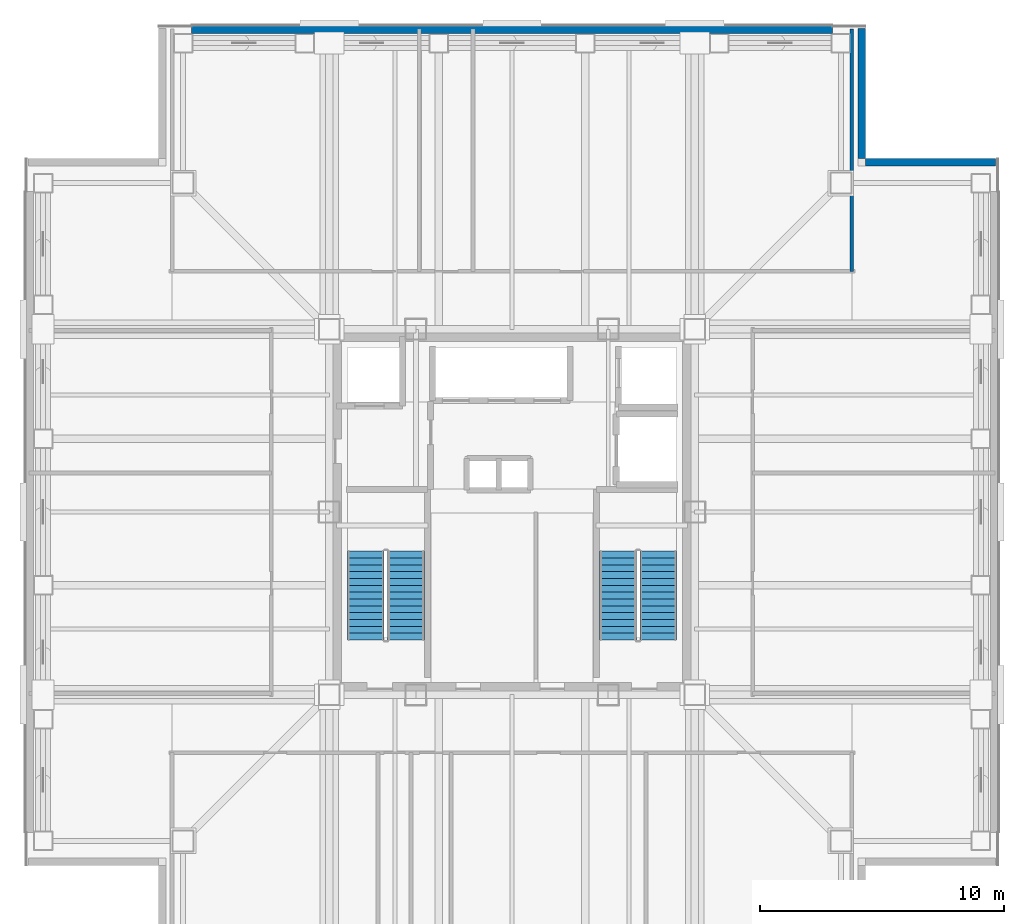
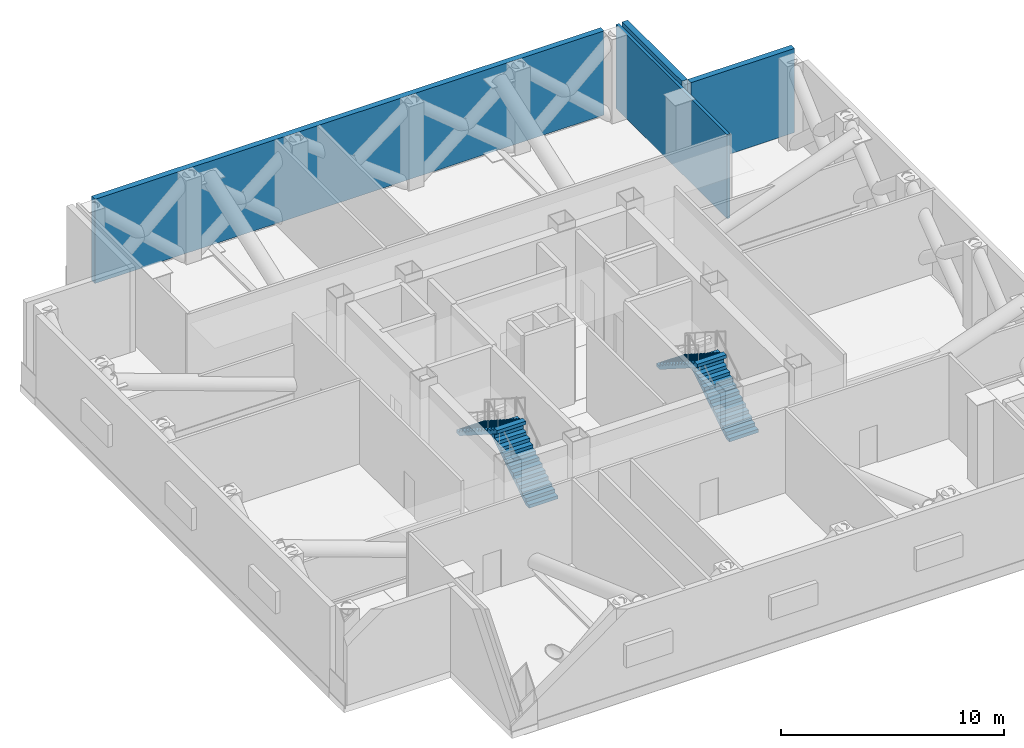
# One storey, part 5 of 10: 4 stair flights, 4 walls, 2 elements without a shape of their own.
"""IFC4 building model written with IfcOpenShell, lengths in metres."""

from ifc_helpers import new_model, si_unit, direction, frame, frame_2d, origin, place, context, subcontext, project, spatial, polyline, rectangle, outline, extrude, material, layer, layer_set, type_object, element, aggregate, save


model = new_model("IFC4")

# Units and contexts
model_context = context("Model", 3, precision=1e-05, world=origin(), true_north=direction((0.0, 1.0)))
body_context = subcontext(model_context, "Body", "Model", "MODEL_VIEW")
ifc_project = project(units=[si_unit("LENGTHUNIT", "METRE"), si_unit("AREAUNIT", "SQUARE_METRE"), si_unit("VOLUMEUNIT", "CUBIC_METRE"), si_unit("PLANEANGLEUNIT", "RADIAN"), si_unit("MASSUNIT", "GRAM", prefix="KILO")], contexts=[model_context])

# Site, building, storey
site_placement = place(None, origin())
site = spatial("IfcSite", under=ifc_project, at=site_placement, CompositionType="ELEMENT")
building_placement = place(site_placement, origin())
building = spatial("IfcBuilding", under=site, at=building_placement, Name="Trevonay Congress Spire", CompositionType="ELEMENT")
storey_placement = place(building_placement, frame((0.0, 0.0, 227.39990234375)))
storey = spatial("IfcBuildingStorey", under=building, at=storey_placement, Name="L59", CompositionType="ELEMENT", Elevation=227.39990234375)

# Walls
ifc_material_1 = material(Name="Precast concrete C40/50", Category="concrete")
ifc_layer_1 = layer(ifc_material_1, 0.300048828125, Name="Precast concrete C40/50")
ifc_layer_set_1 = layer_set([ifc_layer_1], Name="Precast concrete C40/50")
wall_type_1 = type_object("IfcWallType", Name="WAL-EXT-PRECAST-300", PredefinedType="SOLIDWALL", material=ifc_layer_set_1)
wall_1_placement = place(storey_placement, frame((-13.14990234375, 19.800048828125, 0.0), z_axis=(0.0, 0.0, 1.0), x_axis=(1.0, 0.0, 0.0)))
element("IfcWall", 1, at=wall_1_placement, inside=storey, type_object=wall_type_1, Name="L59 N outrigger plant backup wall", PredefinedType="SOLIDWALL", context=body_context, shape_type="SweptSolid", body=[
    extrude(rectangle(XDim=26.2998046875, YDim=0.300048828125, at=frame_2d((13.14990234375, 0.0))), origin(), (0.0, 0.0, 1.0), 4.60009765625),
])
for number, where, z_axis, x_axis, name in (
    (2, (14.35009765625, 19.85009765625, 0.0), (0.0, 0.0, 1.0), (0.0, -1.0, 0.0), "L59 NE plant notch wall 1"),
    (3, (19.85009765625, 14.35009765625, 0.0), (0.0, 0.0, 1.0), (-1.0, 0.0, 0.0), "L59 NE plant notch wall 2"),
):
    element("IfcWall", number, at=place(storey_placement, frame(where, z_axis=z_axis, x_axis=x_axis)), inside=storey, type_object=wall_type_1, Name=name, PredefinedType="SOLIDWALL", context=body_context, shape_type="SweptSolid", body=[
        extrude(rectangle(XDim=5.35009765625, YDim=0.300048828125, at=frame_2d((2.675048828125, 0.0))), origin(), (0.0, 0.0, 1.0), 4.60009765625),
    ])
ifc_material_2 = material(Name="Concrete C40/50", Category="concrete")
ifc_layer_2 = layer(ifc_material_2, 0.14990234375, Name="Concrete C40/50")
ifc_layer_set_2 = layer_set([ifc_layer_2], Name="Concrete C40/50")
wall_type_2 = type_object("IfcWallType", Name="WAL-PART-150", PredefinedType="PARTITIONING", material=ifc_layer_set_2)
wall_2_placement = place(storey_placement, frame((13.949951171875, 9.8798828125, 0.0), z_axis=(0.0, 0.0, 1.0), x_axis=(0.0, 1.0, 0.0)))
element("IfcWall", 4, at=wall_2_placement, inside=storey, type_object=wall_type_2, Name="L59 interior wall WP-L59N-DIV4", PredefinedType="PARTITIONING", context=body_context, shape_type="SweptSolid", body=[
    extrude(rectangle(XDim=9.940185546875, YDim=0.14990234375, at=frame_2d((4.97021484375, 0.0))), origin(), (0.0, 0.0, 1.0), 4.60009765625),
])

# Stair, stair flights
stair_type_1 = type_object("IfcStairType", Name="STR-ST-1", PredefinedType="HALF_TURN_STAIR", material=ifc_material_2)
stair_1_placement = place(storey_placement, origin())
stair_1 = element("IfcStair", 5, at=stair_1_placement, inside=storey, type_object=stair_type_1, Name="L59 Protected Exit Stair ST-1", PredefinedType="HALF_TURN_STAIR")
stair_flight_type_1 = type_object("IfcStairFlightType", Name="SFL-ST-1", PredefinedType="STRAIGHT", material=ifc_material_2)
stair_flight_1_placement = place(storey_placement, frame((-4.35009765625, -5.25, 0.0), z_axis=(0.0, 0.0, 1.0), x_axis=(0.0, 1.0, 0.0)))
stair_flight_1 = element("IfcStairFlight", 6, at=stair_flight_1_placement, type_object=stair_flight_type_1, Name="ST-1 flight 1", NumberOfRisers=14, NumberOfTreads=13, PredefinedType="STRAIGHT", RiserHeight=0.178571429, TreadLength=0.28, context=body_context, shape_type="SweptSolid", body=[
    extrude(outline(polyline([(0.0, 0.0), (0.0, 0.178466796875), (0.280029296875, 0.178466796875), (0.280029296875, 0.357177734375), (0.56005859375, 0.357177734375), (0.56005859375, 0.53564453125), (0.840087890625, 0.53564453125), (0.840087890625, 0.71435546875), (1.1201171875, 0.71435546875), (1.1201171875, 0.892822265625), (1.39990234375, 0.892822265625), (1.39990234375, 1.071533203125), (1.679931640625, 1.071533203125), (1.679931640625, 1.25), (1.9599609375, 1.25), (1.9599609375, 1.428466796875), (2.239990234375, 1.428466796875), (2.239990234375, 1.607177734375), (2.52001953125, 1.607177734375), (2.52001953125, 1.78564453125), (2.800048828125, 1.78564453125), (2.800048828125, 1.96435546875), (3.080078125, 1.96435546875), (3.080078125, 2.142822265625), (3.360107421875, 2.142822265625), (3.360107421875, 2.321533203125), (3.639892578125, 2.321533203125), (3.639892578125, 2.5), (3.639892578125, 2.1435546875), (0.27880859375, 0.0), (0.0, 0.0)])), frame((0.0, 0.75, 0.0), z_axis=(0.0, -1.0, 0.0), x_axis=(1.0, 0.0, 0.0)), (0.0, 0.0, 1.0), 1.5),
])
stair_flight_2_placement = place(storey_placement, frame((-6.0, -1.610107421875, 2.5), z_axis=(0.0, 0.0, 1.0), x_axis=(0.0, -1.0, 0.0)))
stair_flight_2 = element("IfcStairFlight", 7, at=stair_flight_2_placement, type_object=stair_flight_type_1, Name="ST-1 flight 2", NumberOfRisers=14, NumberOfTreads=13, PredefinedType="STRAIGHT", RiserHeight=0.178571429, TreadLength=0.28, context=body_context, shape_type="SweptSolid", body=[
    extrude(outline(polyline([(0.0, 0.0), (0.0, 0.178466796875), (0.280029296875, 0.178466796875), (0.280029296875, 0.357177734375), (0.56005859375, 0.357177734375), (0.56005859375, 0.53564453125), (0.840087890625, 0.53564453125), (0.840087890625, 0.71435546875), (1.1201171875, 0.71435546875), (1.1201171875, 0.892822265625), (1.39990234375, 0.892822265625), (1.39990234375, 1.071533203125), (1.679931640625, 1.071533203125), (1.679931640625, 1.25), (1.9599609375, 1.25), (1.9599609375, 1.428466796875), (2.239990234375, 1.428466796875), (2.239990234375, 1.607177734375), (2.52001953125, 1.607177734375), (2.52001953125, 1.78564453125), (2.800048828125, 1.78564453125), (2.800048828125, 1.96435546875), (3.080078125, 1.96435546875), (3.080078125, 2.142822265625), (3.360107421875, 2.142822265625), (3.360107421875, 2.321533203125), (3.639892578125, 2.321533203125), (3.639892578125, 2.5), (3.639892578125, 2.1435546875), (0.27880859375, 0.0), (0.0, 0.0)])), frame((0.0, 0.75, 0.0), z_axis=(0.0, -1.0, 0.0), x_axis=(1.0, 0.0, 0.0)), (0.0, 0.0, 1.0), 1.5),
])
aggregate(stair_1, [stair_flight_1, stair_flight_2])

stair_type_2 = type_object("IfcStairType", Name="STR-ST-2", PredefinedType="HALF_TURN_STAIR", material=ifc_material_2)
stair_2_placement = place(storey_placement, origin())
stair_2 = element("IfcStair", 8, at=stair_2_placement, inside=storey, type_object=stair_type_2, Name="L59 Protected Exit Stair ST-2", PredefinedType="HALF_TURN_STAIR")
stair_flight_type_2 = type_object("IfcStairFlightType", Name="SFL-ST-2", PredefinedType="STRAIGHT", material=ifc_material_2)
stair_flight_3_placement = place(storey_placement, frame((6.0, -5.25, 0.0), z_axis=(0.0, 0.0, 1.0), x_axis=(0.0, 1.0, 0.0)))
stair_flight_3 = element("IfcStairFlight", 9, at=stair_flight_3_placement, type_object=stair_flight_type_2, Name="ST-2 flight 1", NumberOfRisers=14, NumberOfTreads=13, PredefinedType="STRAIGHT", RiserHeight=0.178571429, TreadLength=0.28, context=body_context, shape_type="SweptSolid", body=[
    extrude(outline(polyline([(0.0, 0.0), (0.0, 0.178466796875), (0.280029296875, 0.178466796875), (0.280029296875, 0.357177734375), (0.56005859375, 0.357177734375), (0.56005859375, 0.53564453125), (0.840087890625, 0.53564453125), (0.840087890625, 0.71435546875), (1.1201171875, 0.71435546875), (1.1201171875, 0.892822265625), (1.39990234375, 0.892822265625), (1.39990234375, 1.071533203125), (1.679931640625, 1.071533203125), (1.679931640625, 1.25), (1.9599609375, 1.25), (1.9599609375, 1.428466796875), (2.239990234375, 1.428466796875), (2.239990234375, 1.607177734375), (2.52001953125, 1.607177734375), (2.52001953125, 1.78564453125), (2.800048828125, 1.78564453125), (2.800048828125, 1.96435546875), (3.080078125, 1.96435546875), (3.080078125, 2.142822265625), (3.360107421875, 2.142822265625), (3.360107421875, 2.321533203125), (3.639892578125, 2.321533203125), (3.639892578125, 2.5), (3.639892578125, 2.1435546875), (0.27880859375, 0.0), (0.0, 0.0)])), frame((0.0, 0.75, 0.0), z_axis=(0.0, -1.0, 0.0), x_axis=(1.0, 0.0, 0.0)), (0.0, 0.0, 1.0), 1.5),
])
stair_flight_4_placement = place(storey_placement, frame((4.35009765625, -1.610107421875, 2.5), z_axis=(0.0, 0.0, 1.0), x_axis=(0.0, -1.0, 0.0)))
stair_flight_4 = element("IfcStairFlight", 10, at=stair_flight_4_placement, type_object=stair_flight_type_2, Name="ST-2 flight 2", NumberOfRisers=14, NumberOfTreads=13, PredefinedType="STRAIGHT", RiserHeight=0.178571429, TreadLength=0.28, context=body_context, shape_type="SweptSolid", body=[
    extrude(outline(polyline([(0.0, 0.0), (0.0, 0.178466796875), (0.280029296875, 0.178466796875), (0.280029296875, 0.357177734375), (0.56005859375, 0.357177734375), (0.56005859375, 0.53564453125), (0.840087890625, 0.53564453125), (0.840087890625, 0.71435546875), (1.1201171875, 0.71435546875), (1.1201171875, 0.892822265625), (1.39990234375, 0.892822265625), (1.39990234375, 1.071533203125), (1.679931640625, 1.071533203125), (1.679931640625, 1.25), (1.9599609375, 1.25), (1.9599609375, 1.428466796875), (2.239990234375, 1.428466796875), (2.239990234375, 1.607177734375), (2.52001953125, 1.607177734375), (2.52001953125, 1.78564453125), (2.800048828125, 1.78564453125), (2.800048828125, 1.96435546875), (3.080078125, 1.96435546875), (3.080078125, 2.142822265625), (3.360107421875, 2.142822265625), (3.360107421875, 2.321533203125), (3.639892578125, 2.321533203125), (3.639892578125, 2.5), (3.639892578125, 2.1435546875), (0.27880859375, 0.0), (0.0, 0.0)])), frame((0.0, 0.75, 0.0), z_axis=(0.0, -1.0, 0.0), x_axis=(1.0, 0.0, 0.0)), (0.0, 0.0, 1.0), 1.5),
])
aggregate(stair_2, [stair_flight_3, stair_flight_4])

save(model, "model.ifc")
